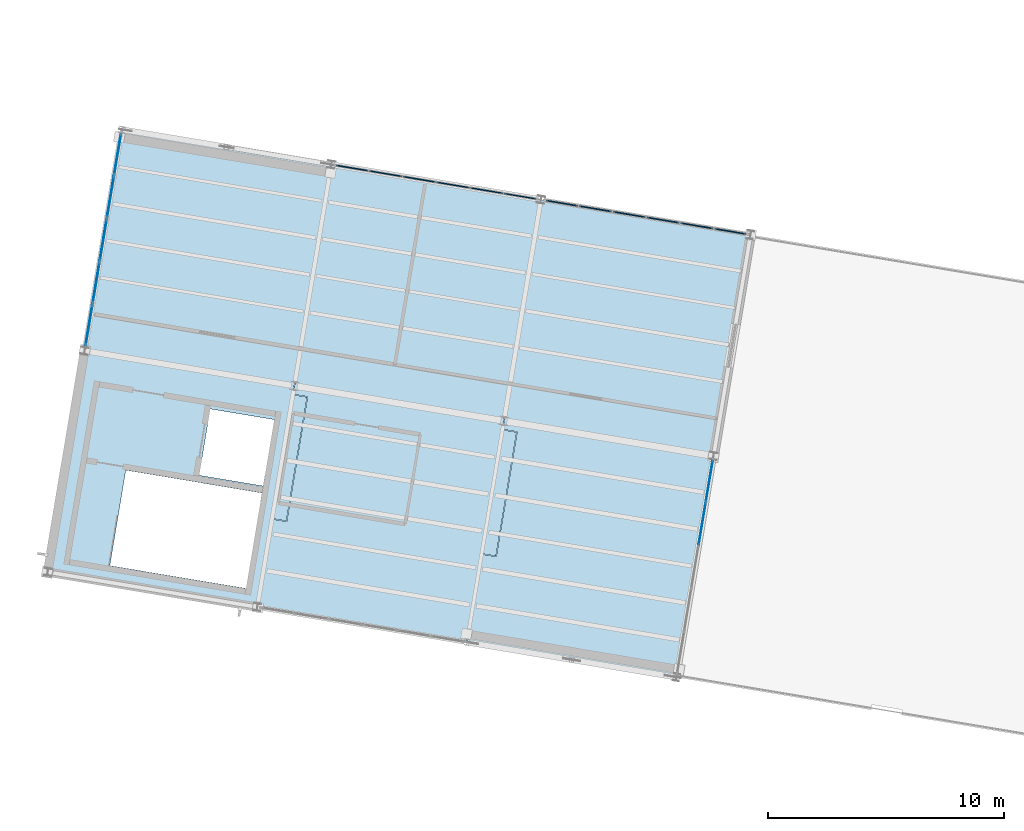
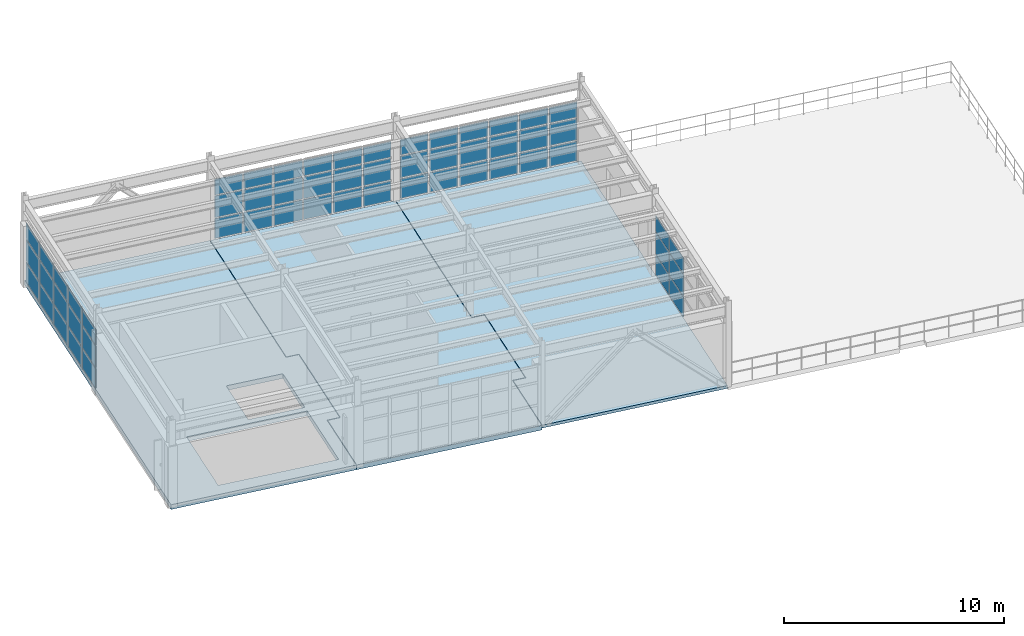
# One storey, part 37 of 59: 57 plates, 3 slabs, 4 elements without a shape of their own.
"""IFC4 building model written with IfcOpenShell, lengths in metres."""

from ifc_helpers import new_model, si_unit, direction, frame, origin, origin_2d, place, context, subcontext, project, spatial, polyline, rectangle, outline, extrude, material, layer, layer_set, type_object, element, aggregate, save


model = new_model("IFC4")

# Units and contexts
model_context = context("Model", 3, precision=1e-05, world=origin(), true_north=direction((0.0, 1.0)))
body_context = subcontext(model_context, "Body", "Model", "MODEL_VIEW")
ifc_project = project(units=[si_unit("LENGTHUNIT", "METRE"), si_unit("AREAUNIT", "SQUARE_METRE"), si_unit("VOLUMEUNIT", "CUBIC_METRE"), si_unit("PLANEANGLEUNIT", "RADIAN"), si_unit("MASSUNIT", "GRAM", prefix="KILO")], contexts=[model_context])

# Site, building, storey
site_placement = place(None, origin())
site = spatial("IfcSite", under=ifc_project, at=site_placement, CompositionType="ELEMENT")
building_placement = place(site_placement, origin())
building = spatial("IfcBuilding", under=site, at=building_placement, Name="Vireo Bluff Cable Station", CompositionType="ELEMENT")
storey_placement = place(building_placement, frame((0.0, 0.0, 14.39990234375)))
storey = spatial("IfcBuildingStorey", under=building, at=storey_placement, Name="L03", CompositionType="ELEMENT", Elevation=14.39990234375)

# Curtain wall, plates
ifc_material_1 = material(Name="Anodized Aluminium 6063-T6", Category="aluminium")
ifc_layer_1 = layer(ifc_material_1, 0.159912109375, Name="Anodized Aluminium 6063-T6")
ifc_layer_set_1 = layer_set([ifc_layer_1], Name="Anodized Aluminium 6063-T6")
curtain_wall_type_1 = type_object("IfcCurtainWallType", Name="CW-STICK-1750", PredefinedType="USERDEFINED", material=ifc_layer_set_1)
curtain_wall_1_placement = place(storey_placement, origin())
curtain_wall_1 = element("IfcCurtainWall", 1, at=curtain_wall_1_placement, inside=storey, type_object=curtain_wall_type_1, Name="V4 L03 east curtain wall CW-110", ObjectType="STICK CURTAIN WALL", PredefinedType="USERDEFINED")
ifc_material_2 = material(Name="Laminated Low-E Insulated Glass", Category="glass")
ifc_layer_2 = layer(ifc_material_2, 0.028076171875, Name="Laminated Low-E Insulated Glass")
ifc_layer_set_2 = layer_set([ifc_layer_2], Name="Laminated Low-E Insulated Glass")
plate_type_1 = type_object("IfcPlateType", Name="CWP-28-1", PredefinedType="CURTAIN_PANEL", material=ifc_layer_set_2)
plate_1_placement = place(storey_placement, frame((35.085693359375, 84.708740234375, 0.06005859375), z_axis=(0.0, 0.0, 1.0), x_axis=(-0.165047600369, -0.986285602456, 0.0)))
plate_1 = element("IfcPlate", 2, at=plate_1_placement, type_object=plate_type_1, Name="CW-110 panel 1.1", PredefinedType="CURTAIN_PANEL", context=body_context, shape_type="SweptSolid", body=[
    extrude(rectangle(XDim=1.747802734375, YDim=0.028076171875, at=origin_2d()), origin(), (0.0, 0.0, 1.0), 1.10009765625),
])
plate_2_placement = place(storey_placement, frame((35.085693359375, 84.708740234375, 1.22021484375), z_axis=(0.0, 0.0, 1.0), x_axis=(-0.165047600369, -0.986285602456, 0.0)))
plate_2 = element("IfcPlate", 3, at=plate_2_placement, type_object=plate_type_1, Name="CW-110 panel 1.2", PredefinedType="CURTAIN_PANEL", context=body_context, shape_type="SweptSolid", body=[
    extrude(rectangle(XDim=1.747802734375, YDim=0.028076171875, at=origin_2d()), origin(), (0.0, 0.0, 1.0), 1.197998046875),
])
plate_3_placement = place(storey_placement, frame((35.085693359375, 84.708740234375, 2.47802734375), z_axis=(0.0, 0.0, 1.0), x_axis=(-0.165047600369, -0.986285602456, 0.0)))
plate_3 = element("IfcPlate", 4, at=plate_3_placement, type_object=plate_type_1, Name="CW-110 panel 1.3", PredefinedType="CURTAIN_PANEL", context=body_context, shape_type="SweptSolid", body=[
    extrude(rectangle(XDim=1.747802734375, YDim=0.028076171875, at=origin_2d()), origin(), (0.0, 0.0, 1.0), 0.862060546875),
])
plate_4_placement = place(storey_placement, frame((34.784912109375, 82.91064453125, 0.06005859375), z_axis=(0.0, 0.0, 1.0), x_axis=(-0.165047600369, -0.986285602456, 0.0)))
plate_4 = element("IfcPlate", 5, at=plate_4_placement, type_object=plate_type_1, Name="CW-110 panel 2.1", PredefinedType="CURTAIN_PANEL", context=body_context, shape_type="SweptSolid", body=[
    extrude(rectangle(XDim=1.77783203125, YDim=0.028076171875, at=origin_2d()), origin(), (0.0, 0.0, 1.0), 1.10009765625),
])
plate_5_placement = place(storey_placement, frame((34.784912109375, 82.91064453125, 1.22021484375), z_axis=(0.0, 0.0, 1.0), x_axis=(-0.165047600369, -0.986285602456, 0.0)))
plate_5 = element("IfcPlate", 6, at=plate_5_placement, type_object=plate_type_1, Name="CW-110 panel 2.2", PredefinedType="CURTAIN_PANEL", context=body_context, shape_type="SweptSolid", body=[
    extrude(rectangle(XDim=1.77783203125, YDim=0.028076171875, at=origin_2d()), origin(), (0.0, 0.0, 1.0), 1.197998046875),
])
plate_6_placement = place(storey_placement, frame((34.784912109375, 82.91064453125, 2.47802734375), z_axis=(0.0, 0.0, 1.0), x_axis=(-0.165047600369, -0.986285602456, 0.0)))
plate_6 = element("IfcPlate", 7, at=plate_6_placement, type_object=plate_type_1, Name="CW-110 panel 2.3", PredefinedType="CURTAIN_PANEL", context=body_context, shape_type="SweptSolid", body=[
    extrude(rectangle(XDim=1.77783203125, YDim=0.028076171875, at=origin_2d()), origin(), (0.0, 0.0, 1.0), 0.862060546875),
])
aggregate(curtain_wall_1, [plate_1, plate_2, plate_3, plate_4, plate_5, plate_6])

ifc_layer_3 = layer(ifc_material_1, 0.159912109375, Name="Anodized Aluminium 6063-T6")
ifc_layer_set_3 = layer_set([ifc_layer_3], Name="Anodized Aluminium 6063-T6")
curtain_wall_type_2 = type_object("IfcCurtainWallType", Name="CW-STICK-1850", PredefinedType="USERDEFINED", material=ifc_layer_set_3)
curtain_wall_2_placement = place(storey_placement, origin())
curtain_wall_2 = element("IfcCurtainWall", 8, at=curtain_wall_2_placement, inside=storey, type_object=curtain_wall_type_2, Name="V4 L03 west curtain wall CW-107", ObjectType="STICK CURTAIN WALL", PredefinedType="USERDEFINED")
ifc_layer_4 = layer(ifc_material_2, 0.035888671875, Name="Laminated Low-E Insulated Glass")
ifc_layer_set_4 = layer_set([ifc_layer_4], Name="Laminated Low-E Insulated Glass")
plate_type_2 = type_object("IfcPlateType", Name="CWP-36-3", PredefinedType="CURTAIN_PANEL", material=ifc_layer_set_4)
plate_7_placement = place(storey_placement, frame((8.8173828125, 91.324462890625, 0.080078125), z_axis=(0.0, 0.0, 1.0), x_axis=(0.165047529999, 0.986285614232, 0.0)))
plate_7 = element("IfcPlate", 9, at=plate_7_placement, type_object=plate_type_2, Name="CW-107 panel 1.1", PredefinedType="CURTAIN_PANEL", context=body_context, shape_type="SweptSolid", body=[
    extrude(rectangle(XDim=1.72119140625, YDim=0.035888671875, at=origin_2d()), origin(), (0.0, 0.0, 1.0), 1.070068359375),
])
plate_8_placement = place(storey_placement, frame((8.8173828125, 91.324462890625, 1.22998046875), z_axis=(0.0, 0.0, 1.0), x_axis=(0.165047529999, 0.986285614232, 0.0)))
plate_8 = element("IfcPlate", 10, at=plate_8_placement, type_object=plate_type_2, Name="CW-107 panel 1.2", PredefinedType="CURTAIN_PANEL", context=body_context, shape_type="SweptSolid", body=[
    extrude(rectangle(XDim=1.72119140625, YDim=0.035888671875, at=origin_2d()), origin(), (0.0, 0.0, 1.0), 1.177978515625),
])
plate_9_placement = place(storey_placement, frame((8.8173828125, 91.324462890625, 2.488037109375), z_axis=(0.0, 0.0, 1.0), x_axis=(0.165047529999, 0.986285614232, 0.0)))
plate_9 = element("IfcPlate", 11, at=plate_9_placement, type_object=plate_type_2, Name="CW-107 panel 1.3", PredefinedType="CURTAIN_PANEL", context=body_context, shape_type="SweptSolid", body=[
    extrude(rectangle(XDim=1.72119140625, YDim=0.035888671875, at=origin_2d()), origin(), (0.0, 0.0, 1.0), 0.83203125),
])
plate_10_placement = place(storey_placement, frame((9.1181640625, 93.120849609375, 0.080078125), z_axis=(0.0, 0.0, 1.0), x_axis=(0.165047529999, 0.986285614232, 0.0)))
plate_10 = element("IfcPlate", 12, at=plate_10_placement, type_object=plate_type_2, Name="CW-107 panel 2.1", PredefinedType="CURTAIN_PANEL", context=body_context, shape_type="SweptSolid", body=[
    extrude(rectangle(XDim=1.76123046875, YDim=0.035888671875, at=origin_2d()), origin(), (0.0, 0.0, 1.0), 1.070068359375),
])
plate_11_placement = place(storey_placement, frame((9.1181640625, 93.120849609375, 1.22998046875), z_axis=(0.0, 0.0, 1.0), x_axis=(0.165047529999, 0.986285614232, 0.0)))
plate_11 = element("IfcPlate", 13, at=plate_11_placement, type_object=plate_type_2, Name="CW-107 panel 2.2", PredefinedType="CURTAIN_PANEL", context=body_context, shape_type="SweptSolid", body=[
    extrude(rectangle(XDim=1.76123046875, YDim=0.035888671875, at=origin_2d()), origin(), (0.0, 0.0, 1.0), 1.177978515625),
])
plate_12_placement = place(storey_placement, frame((9.1181640625, 93.120849609375, 2.488037109375), z_axis=(0.0, 0.0, 1.0), x_axis=(0.165047529999, 0.986285614232, 0.0)))
plate_12 = element("IfcPlate", 14, at=plate_12_placement, type_object=plate_type_2, Name="CW-107 panel 2.3", PredefinedType="CURTAIN_PANEL", context=body_context, shape_type="SweptSolid", body=[
    extrude(rectangle(XDim=1.76123046875, YDim=0.035888671875, at=origin_2d()), origin(), (0.0, 0.0, 1.0), 0.83203125),
])
plate_13_placement = place(storey_placement, frame((9.421875, 94.936767578125, 0.080078125), z_axis=(0.0, 0.0, 1.0), x_axis=(0.165047529999, 0.986285614232, 0.0)))
plate_13 = element("IfcPlate", 15, at=plate_13_placement, type_object=plate_type_2, Name="CW-107 panel 3.1", PredefinedType="CURTAIN_PANEL", context=body_context, shape_type="SweptSolid", body=[
    extrude(rectangle(XDim=1.76123046875, YDim=0.035888671875, at=origin_2d()), origin(), (0.0, 0.0, 1.0), 1.070068359375),
])
plate_14_placement = place(storey_placement, frame((9.421875, 94.936767578125, 1.22998046875), z_axis=(0.0, 0.0, 1.0), x_axis=(0.165047529999, 0.986285614232, 0.0)))
plate_14 = element("IfcPlate", 16, at=plate_14_placement, type_object=plate_type_2, Name="CW-107 panel 3.2", PredefinedType="CURTAIN_PANEL", context=body_context, shape_type="SweptSolid", body=[
    extrude(rectangle(XDim=1.76123046875, YDim=0.035888671875, at=origin_2d()), origin(), (0.0, 0.0, 1.0), 1.177978515625),
])
plate_15_placement = place(storey_placement, frame((9.421875, 94.936767578125, 2.488037109375), z_axis=(0.0, 0.0, 1.0), x_axis=(0.165047529999, 0.986285614232, 0.0)))
plate_15 = element("IfcPlate", 17, at=plate_15_placement, type_object=plate_type_2, Name="CW-107 panel 3.3", PredefinedType="CURTAIN_PANEL", context=body_context, shape_type="SweptSolid", body=[
    extrude(rectangle(XDim=1.76123046875, YDim=0.035888671875, at=origin_2d()), origin(), (0.0, 0.0, 1.0), 0.83203125),
])
plate_16_placement = place(storey_placement, frame((9.725830078125, 96.7529296875, 0.080078125), z_axis=(0.0, 0.0, 1.0), x_axis=(0.165047529999, 0.986285614232, 0.0)))
plate_16 = element("IfcPlate", 18, at=plate_16_placement, type_object=plate_type_2, Name="CW-107 panel 4.1", PredefinedType="CURTAIN_PANEL", context=body_context, shape_type="SweptSolid", body=[
    extrude(rectangle(XDim=1.76123046875, YDim=0.035888671875, at=origin_2d()), origin(), (0.0, 0.0, 1.0), 1.070068359375),
])
plate_17_placement = place(storey_placement, frame((9.725830078125, 96.7529296875, 1.22998046875), z_axis=(0.0, 0.0, 1.0), x_axis=(0.165047529999, 0.986285614232, 0.0)))
plate_17 = element("IfcPlate", 19, at=plate_17_placement, type_object=plate_type_2, Name="CW-107 panel 4.2", PredefinedType="CURTAIN_PANEL", context=body_context, shape_type="SweptSolid", body=[
    extrude(rectangle(XDim=1.76123046875, YDim=0.035888671875, at=origin_2d()), origin(), (0.0, 0.0, 1.0), 1.177978515625),
])
plate_18_placement = place(storey_placement, frame((9.725830078125, 96.7529296875, 2.488037109375), z_axis=(0.0, 0.0, 1.0), x_axis=(0.165047529999, 0.986285614232, 0.0)))
plate_18 = element("IfcPlate", 20, at=plate_18_placement, type_object=plate_type_2, Name="CW-107 panel 4.3", PredefinedType="CURTAIN_PANEL", context=body_context, shape_type="SweptSolid", body=[
    extrude(rectangle(XDim=1.76123046875, YDim=0.035888671875, at=origin_2d()), origin(), (0.0, 0.0, 1.0), 0.83203125),
])
plate_19_placement = place(storey_placement, frame((10.0263671875, 98.54931640625, 0.080078125), z_axis=(0.0, 0.0, 1.0), x_axis=(0.165047529999, 0.986285614232, 0.0)))
plate_19 = element("IfcPlate", 21, at=plate_19_placement, type_object=plate_type_2, Name="CW-107 panel 5.1", PredefinedType="CURTAIN_PANEL", context=body_context, shape_type="SweptSolid", body=[
    extrude(rectangle(XDim=1.72119140625, YDim=0.035888671875, at=origin_2d()), origin(), (0.0, 0.0, 1.0), 1.070068359375),
])
plate_20_placement = place(storey_placement, frame((10.0263671875, 98.54931640625, 1.22998046875), z_axis=(0.0, 0.0, 1.0), x_axis=(0.165047529999, 0.986285614232, 0.0)))
plate_20 = element("IfcPlate", 22, at=plate_20_placement, type_object=plate_type_2, Name="CW-107 panel 5.2", PredefinedType="CURTAIN_PANEL", context=body_context, shape_type="SweptSolid", body=[
    extrude(rectangle(XDim=1.72119140625, YDim=0.035888671875, at=origin_2d()), origin(), (0.0, 0.0, 1.0), 1.177978515625),
])
plate_21_placement = place(storey_placement, frame((10.0263671875, 98.54931640625, 2.488037109375), z_axis=(0.0, 0.0, 1.0), x_axis=(0.165047529999, 0.986285614232, 0.0)))
plate_21 = element("IfcPlate", 23, at=plate_21_placement, type_object=plate_type_2, Name="CW-107 panel 5.3", PredefinedType="CURTAIN_PANEL", context=body_context, shape_type="SweptSolid", body=[
    extrude(rectangle(XDim=1.72119140625, YDim=0.035888671875, at=origin_2d()), origin(), (0.0, 0.0, 1.0), 0.83203125),
])
aggregate(curtain_wall_2, [plate_7, plate_8, plate_9, plate_10, plate_11, plate_12, plate_13, plate_14, plate_15, plate_16, plate_17, plate_18, plate_19, plate_20, plate_21])

ifc_layer_5 = layer(ifc_material_1, 0.179931640625, Name="Anodized Aluminium 6063-T6")
ifc_layer_set_5 = layer_set([ifc_layer_5], Name="Anodized Aluminium 6063-T6")
curtain_wall_type_3 = type_object("IfcCurtainWallType", Name="CW-UNIT-1400", PredefinedType="USERDEFINED", material=ifc_layer_set_5)
curtain_wall_3_placement = place(storey_placement, origin())
curtain_wall_3 = element("IfcCurtainWall", 24, at=curtain_wall_3_placement, inside=storey, type_object=curtain_wall_type_3, Name="V4 L03 north curtain wall CW-108", ObjectType="UNITISED CURTAIN WALL", PredefinedType="USERDEFINED")
ifc_material_3 = material(Name="Insulated Spandrel Glass Panel", Category="glass")
ifc_layer_6 = layer(ifc_material_3, 0.0419921875, Name="Insulated Spandrel Glass Panel")
ifc_layer_set_6 = layer_set([ifc_layer_6], Name="Insulated Spandrel Glass Panel")
plate_type_3 = type_object("IfcPlateType", Name="CWP-42-4", PredefinedType="CURTAIN_PANEL", material=ifc_layer_set_6)
plate_22_placement = place(storey_placement, frame((19.963134765625, 97.97607421875, 0.06494140625), z_axis=(0.0, 0.0, 1.0), x_axis=(0.986285614938, -0.165047525781, 0.0)))
plate_22 = element("IfcPlate", 25, at=plate_22_placement, type_object=plate_type_3, Name="CW-108 panel 1.1", PredefinedType="CURTAIN_PANEL", context=body_context, shape_type="SweptSolid", body=[
    extrude(rectangle(XDim=1.350830078125, YDim=0.0419921875, at=origin_2d()), origin(), (0.0, 0.0, 1.0), 1.092529296875),
])
plate_23_placement = place(storey_placement, frame((19.963134765625, 97.97607421875, 1.22265625), z_axis=(0.0, 0.0, 1.0), x_axis=(0.986285614938, -0.165047525781, 0.0)))
plate_23 = element("IfcPlate", 26, at=plate_23_placement, type_object=plate_type_3, Name="CW-108 panel 1.2", PredefinedType="CURTAIN_PANEL", context=body_context, shape_type="SweptSolid", body=[
    extrude(rectangle(XDim=1.350830078125, YDim=0.0419921875, at=origin_2d()), origin(), (0.0, 0.0, 1.0), 1.193115234375),
])
plate_24_placement = place(storey_placement, frame((19.963134765625, 97.97607421875, 2.480712890625), z_axis=(0.0, 0.0, 1.0), x_axis=(0.986285614938, -0.165047525781, 0.0)))
plate_24 = element("IfcPlate", 27, at=plate_24_placement, type_object=plate_type_3, Name="CW-108 panel 1.3", PredefinedType="CURTAIN_PANEL", context=body_context, shape_type="SweptSolid", body=[
    extrude(rectangle(XDim=1.350830078125, YDim=0.0419921875, at=origin_2d()), origin(), (0.0, 0.0, 1.0), 0.8544921875),
])
plate_25_placement = place(storey_placement, frame((21.37548828125, 97.73974609375, 0.06494140625), z_axis=(0.0, 0.0, 1.0), x_axis=(0.986285614938, -0.165047525781, 0.0)))
plate_25 = element("IfcPlate", 28, at=plate_25_placement, type_object=plate_type_3, Name="CW-108 panel 2.1", PredefinedType="CURTAIN_PANEL", context=body_context, shape_type="SweptSolid", body=[
    extrude(rectangle(XDim=1.38330078125, YDim=0.0419921875, at=origin_2d()), origin(), (0.0, 0.0, 1.0), 1.092529296875),
])
plate_26_placement = place(storey_placement, frame((21.37548828125, 97.73974609375, 1.22265625), z_axis=(0.0, 0.0, 1.0), x_axis=(0.986285614938, -0.165047525781, 0.0)))
plate_26 = element("IfcPlate", 29, at=plate_26_placement, type_object=plate_type_3, Name="CW-108 panel 2.2", PredefinedType="CURTAIN_PANEL", context=body_context, shape_type="SweptSolid", body=[
    extrude(rectangle(XDim=1.38330078125, YDim=0.0419921875, at=origin_2d()), origin(), (0.0, 0.0, 1.0), 1.193115234375),
])
plate_27_placement = place(storey_placement, frame((21.37548828125, 97.73974609375, 2.480712890625), z_axis=(0.0, 0.0, 1.0), x_axis=(0.986285614938, -0.165047525781, 0.0)))
plate_27 = element("IfcPlate", 30, at=plate_27_placement, type_object=plate_type_3, Name="CW-108 panel 2.3", PredefinedType="CURTAIN_PANEL", context=body_context, shape_type="SweptSolid", body=[
    extrude(rectangle(XDim=1.38330078125, YDim=0.0419921875, at=origin_2d()), origin(), (0.0, 0.0, 1.0), 0.8544921875),
])
plate_28_placement = place(storey_placement, frame((22.803955078125, 97.50048828125, 0.06494140625), z_axis=(0.0, 0.0, 1.0), x_axis=(0.986285614938, -0.165047525781, 0.0)))
plate_28 = element("IfcPlate", 31, at=plate_28_placement, type_object=plate_type_3, Name="CW-108 panel 3.1", PredefinedType="CURTAIN_PANEL", context=body_context, shape_type="SweptSolid", body=[
    extrude(rectangle(XDim=1.38330078125, YDim=0.0419921875, at=origin_2d()), origin(), (0.0, 0.0, 1.0), 1.092529296875),
])
plate_29_placement = place(storey_placement, frame((22.803955078125, 97.50048828125, 1.22265625), z_axis=(0.0, 0.0, 1.0), x_axis=(0.986285614938, -0.165047525781, 0.0)))
plate_29 = element("IfcPlate", 32, at=plate_29_placement, type_object=plate_type_3, Name="CW-108 panel 3.2", PredefinedType="CURTAIN_PANEL", context=body_context, shape_type="SweptSolid", body=[
    extrude(rectangle(XDim=1.38330078125, YDim=0.0419921875, at=origin_2d()), origin(), (0.0, 0.0, 1.0), 1.193115234375),
])
plate_30_placement = place(storey_placement, frame((22.803955078125, 97.50048828125, 2.480712890625), z_axis=(0.0, 0.0, 1.0), x_axis=(0.986285614938, -0.165047525781, 0.0)))
plate_30 = element("IfcPlate", 33, at=plate_30_placement, type_object=plate_type_3, Name="CW-108 panel 3.3", PredefinedType="CURTAIN_PANEL", context=body_context, shape_type="SweptSolid", body=[
    extrude(rectangle(XDim=1.38330078125, YDim=0.0419921875, at=origin_2d()), origin(), (0.0, 0.0, 1.0), 0.8544921875),
])
plate_31_placement = place(storey_placement, frame((24.232421875, 97.261474609375, 0.06494140625), z_axis=(0.0, 0.0, 1.0), x_axis=(0.986285614938, -0.165047525781, 0.0)))
plate_31 = element("IfcPlate", 34, at=plate_31_placement, type_object=plate_type_3, Name="CW-108 panel 4.1", PredefinedType="CURTAIN_PANEL", context=body_context, shape_type="SweptSolid", body=[
    extrude(rectangle(XDim=1.38330078125, YDim=0.0419921875, at=origin_2d()), origin(), (0.0, 0.0, 1.0), 1.092529296875),
])
plate_32_placement = place(storey_placement, frame((24.232421875, 97.261474609375, 1.22265625), z_axis=(0.0, 0.0, 1.0), x_axis=(0.986285614938, -0.165047525781, 0.0)))
plate_32 = element("IfcPlate", 35, at=plate_32_placement, type_object=plate_type_3, Name="CW-108 panel 4.2", PredefinedType="CURTAIN_PANEL", context=body_context, shape_type="SweptSolid", body=[
    extrude(rectangle(XDim=1.38330078125, YDim=0.0419921875, at=origin_2d()), origin(), (0.0, 0.0, 1.0), 1.193115234375),
])
plate_33_placement = place(storey_placement, frame((24.232421875, 97.261474609375, 2.480712890625), z_axis=(0.0, 0.0, 1.0), x_axis=(0.986285614938, -0.165047525781, 0.0)))
plate_33 = element("IfcPlate", 36, at=plate_33_placement, type_object=plate_type_3, Name="CW-108 panel 4.3", PredefinedType="CURTAIN_PANEL", context=body_context, shape_type="SweptSolid", body=[
    extrude(rectangle(XDim=1.38330078125, YDim=0.0419921875, at=origin_2d()), origin(), (0.0, 0.0, 1.0), 0.8544921875),
])
plate_34_placement = place(storey_placement, frame((25.660888671875, 97.0224609375, 0.06494140625), z_axis=(0.0, 0.0, 1.0), x_axis=(0.986285614938, -0.165047525781, 0.0)))
plate_34 = element("IfcPlate", 37, at=plate_34_placement, type_object=plate_type_3, Name="CW-108 panel 5.1", PredefinedType="CURTAIN_PANEL", context=body_context, shape_type="SweptSolid", body=[
    extrude(rectangle(XDim=1.38330078125, YDim=0.0419921875, at=origin_2d()), origin(), (0.0, 0.0, 1.0), 1.092529296875),
])
plate_35_placement = place(storey_placement, frame((25.660888671875, 97.0224609375, 1.22265625), z_axis=(0.0, 0.0, 1.0), x_axis=(0.986285614938, -0.165047525781, 0.0)))
plate_35 = element("IfcPlate", 38, at=plate_35_placement, type_object=plate_type_3, Name="CW-108 panel 5.2", PredefinedType="CURTAIN_PANEL", context=body_context, shape_type="SweptSolid", body=[
    extrude(rectangle(XDim=1.38330078125, YDim=0.0419921875, at=origin_2d()), origin(), (0.0, 0.0, 1.0), 1.193115234375),
])
plate_36_placement = place(storey_placement, frame((25.660888671875, 97.0224609375, 2.480712890625), z_axis=(0.0, 0.0, 1.0), x_axis=(0.986285614938, -0.165047525781, 0.0)))
plate_36 = element("IfcPlate", 39, at=plate_36_placement, type_object=plate_type_3, Name="CW-108 panel 5.3", PredefinedType="CURTAIN_PANEL", context=body_context, shape_type="SweptSolid", body=[
    extrude(rectangle(XDim=1.38330078125, YDim=0.0419921875, at=origin_2d()), origin(), (0.0, 0.0, 1.0), 0.8544921875),
])
plate_37_placement = place(storey_placement, frame((27.073486328125, 96.7861328125, 0.06494140625), z_axis=(0.0, 0.0, 1.0), x_axis=(0.986285614938, -0.165047525781, 0.0)))
plate_37 = element("IfcPlate", 40, at=plate_37_placement, type_object=plate_type_3, Name="CW-108 panel 6.1", PredefinedType="CURTAIN_PANEL", context=body_context, shape_type="SweptSolid", body=[
    extrude(rectangle(XDim=1.350830078125, YDim=0.0419921875, at=origin_2d()), origin(), (0.0, 0.0, 1.0), 1.092529296875),
])
plate_38_placement = place(storey_placement, frame((27.073486328125, 96.7861328125, 1.22265625), z_axis=(0.0, 0.0, 1.0), x_axis=(0.986285614938, -0.165047525781, 0.0)))
plate_38 = element("IfcPlate", 41, at=plate_38_placement, type_object=plate_type_3, Name="CW-108 panel 6.2", PredefinedType="CURTAIN_PANEL", context=body_context, shape_type="SweptSolid", body=[
    extrude(rectangle(XDim=1.350830078125, YDim=0.0419921875, at=origin_2d()), origin(), (0.0, 0.0, 1.0), 1.193115234375),
])
plate_39_placement = place(storey_placement, frame((27.073486328125, 96.7861328125, 2.480712890625), z_axis=(0.0, 0.0, 1.0), x_axis=(0.986285614938, -0.165047525781, 0.0)))
plate_39 = element("IfcPlate", 42, at=plate_39_placement, type_object=plate_type_3, Name="CW-108 panel 6.3", PredefinedType="CURTAIN_PANEL", context=body_context, shape_type="SweptSolid", body=[
    extrude(rectangle(XDim=1.350830078125, YDim=0.0419921875, at=origin_2d()), origin(), (0.0, 0.0, 1.0), 0.8544921875),
])
aggregate(curtain_wall_3, [plate_22, plate_23, plate_24, plate_25, plate_26, plate_27, plate_28, plate_29, plate_30, plate_31, plate_32, plate_33, plate_34, plate_35, plate_36, plate_37, plate_38, plate_39])

ifc_layer_7 = layer(ifc_material_1, 0.179931640625, Name="Anodized Aluminium 6063-T6")
ifc_layer_set_7 = layer_set([ifc_layer_7], Name="Anodized Aluminium 6063-T6")
curtain_wall_type_4 = type_object("IfcCurtainWallType", Name="CW-UNIT-1500", PredefinedType="USERDEFINED", material=ifc_layer_set_7)
curtain_wall_4_placement = place(storey_placement, origin())
curtain_wall_4 = element("IfcCurtainWall", 43, at=curtain_wall_4_placement, inside=storey, type_object=curtain_wall_type_4, Name="V4 L03 north curtain wall CW-109", ObjectType="UNITISED CURTAIN WALL", PredefinedType="USERDEFINED")
ifc_layer_8 = layer(ifc_material_3, 0.048095703125, Name="Insulated Spandrel Glass Panel")
ifc_layer_set_8 = layer_set([ifc_layer_8], Name="Insulated Spandrel Glass Panel")
plate_type_4 = type_object("IfcPlateType", Name="CWP-48-5", PredefinedType="CURTAIN_PANEL", material=ifc_layer_set_8)
plate_40_placement = place(storey_placement, frame((28.84521484375, 96.48974609375, 0.0751953125), z_axis=(0.0, 0.0, 1.0), x_axis=(0.986285589995, -0.165047674837, 0.0)))
plate_40 = element("IfcPlate", 44, at=plate_40_placement, type_object=plate_type_4, Name="CW-109 panel 1.1", PredefinedType="CURTAIN_PANEL", context=body_context, shape_type="SweptSolid", body=[
    extrude(rectangle(XDim=1.340087890625, YDim=0.048095703125, at=origin_2d()), origin(), (0.0, 0.0, 1.0), 1.077392578125),
])
plate_41_placement = place(storey_placement, frame((28.84521484375, 96.48974609375, 1.2275390625), z_axis=(0.0, 0.0, 1.0), x_axis=(0.986285589995, -0.165047674837, 0.0)))
plate_41 = element("IfcPlate", 45, at=plate_41_placement, type_object=plate_type_4, Name="CW-109 panel 1.2", PredefinedType="CURTAIN_PANEL", context=body_context, shape_type="SweptSolid", body=[
    extrude(rectangle(XDim=1.340087890625, YDim=0.048095703125, at=origin_2d()), origin(), (0.0, 0.0, 1.0), 1.18310546875),
])
plate_42_placement = place(storey_placement, frame((28.84521484375, 96.48974609375, 2.4853515625), z_axis=(0.0, 0.0, 1.0), x_axis=(0.986285589995, -0.165047674837, 0.0)))
plate_42 = element("IfcPlate", 46, at=plate_42_placement, type_object=plate_type_4, Name="CW-109 panel 1.3", PredefinedType="CURTAIN_PANEL", context=body_context, shape_type="SweptSolid", body=[
    extrude(rectangle(XDim=1.340087890625, YDim=0.048095703125, at=origin_2d()), origin(), (0.0, 0.0, 1.0), 0.839599609375),
])
plate_43_placement = place(storey_placement, frame((30.25927734375, 96.2529296875, 0.0751953125), z_axis=(0.0, 0.0, 1.0), x_axis=(0.986285589995, -0.165047674837, 0.0)))
plate_43 = element("IfcPlate", 47, at=plate_43_placement, type_object=plate_type_4, Name="CW-109 panel 2.1", PredefinedType="CURTAIN_PANEL", context=body_context, shape_type="SweptSolid", body=[
    extrude(rectangle(XDim=1.377685546875, YDim=0.048095703125, at=origin_2d()), origin(), (0.0, 0.0, 1.0), 1.077392578125),
])
plate_44_placement = place(storey_placement, frame((30.25927734375, 96.2529296875, 1.2275390625), z_axis=(0.0, 0.0, 1.0), x_axis=(0.986285589995, -0.165047674837, 0.0)))
plate_44 = element("IfcPlate", 48, at=plate_44_placement, type_object=plate_type_4, Name="CW-109 panel 2.2", PredefinedType="CURTAIN_PANEL", context=body_context, shape_type="SweptSolid", body=[
    extrude(rectangle(XDim=1.377685546875, YDim=0.048095703125, at=origin_2d()), origin(), (0.0, 0.0, 1.0), 1.18310546875),
])
plate_45_placement = place(storey_placement, frame((30.25927734375, 96.2529296875, 2.4853515625), z_axis=(0.0, 0.0, 1.0), x_axis=(0.986285589995, -0.165047674837, 0.0)))
plate_45 = element("IfcPlate", 49, at=plate_45_placement, type_object=plate_type_4, Name="CW-109 panel 2.3", PredefinedType="CURTAIN_PANEL", context=body_context, shape_type="SweptSolid", body=[
    extrude(rectangle(XDim=1.377685546875, YDim=0.048095703125, at=origin_2d()), origin(), (0.0, 0.0, 1.0), 0.839599609375),
])
plate_46_placement = place(storey_placement, frame((31.692138671875, 96.01318359375, 0.0751953125), z_axis=(0.0, 0.0, 1.0), x_axis=(0.986285589995, -0.165047674837, 0.0)))
plate_46 = element("IfcPlate", 50, at=plate_46_placement, type_object=plate_type_4, Name="CW-109 panel 3.1", PredefinedType="CURTAIN_PANEL", context=body_context, shape_type="SweptSolid", body=[
    extrude(rectangle(XDim=1.377685546875, YDim=0.048095703125, at=origin_2d()), origin(), (0.0, 0.0, 1.0), 1.077392578125),
])
plate_47_placement = place(storey_placement, frame((31.692138671875, 96.01318359375, 1.2275390625), z_axis=(0.0, 0.0, 1.0), x_axis=(0.986285589995, -0.165047674837, 0.0)))
plate_47 = element("IfcPlate", 51, at=plate_47_placement, type_object=plate_type_4, Name="CW-109 panel 3.2", PredefinedType="CURTAIN_PANEL", context=body_context, shape_type="SweptSolid", body=[
    extrude(rectangle(XDim=1.377685546875, YDim=0.048095703125, at=origin_2d()), origin(), (0.0, 0.0, 1.0), 1.18310546875),
])
plate_48_placement = place(storey_placement, frame((31.692138671875, 96.01318359375, 2.4853515625), z_axis=(0.0, 0.0, 1.0), x_axis=(0.986285589995, -0.165047674837, 0.0)))
plate_48 = element("IfcPlate", 52, at=plate_48_placement, type_object=plate_type_4, Name="CW-109 panel 3.3", PredefinedType="CURTAIN_PANEL", context=body_context, shape_type="SweptSolid", body=[
    extrude(rectangle(XDim=1.377685546875, YDim=0.048095703125, at=origin_2d()), origin(), (0.0, 0.0, 1.0), 0.839599609375),
])
plate_49_placement = place(storey_placement, frame((33.124755859375, 95.7734375, 0.0751953125), z_axis=(0.0, 0.0, 1.0), x_axis=(0.986285589995, -0.165047674837, 0.0)))
plate_49 = element("IfcPlate", 53, at=plate_49_placement, type_object=plate_type_4, Name="CW-109 panel 4.1", PredefinedType="CURTAIN_PANEL", context=body_context, shape_type="SweptSolid", body=[
    extrude(rectangle(XDim=1.377685546875, YDim=0.048095703125, at=origin_2d()), origin(), (0.0, 0.0, 1.0), 1.077392578125),
])
plate_50_placement = place(storey_placement, frame((33.124755859375, 95.7734375, 1.2275390625), z_axis=(0.0, 0.0, 1.0), x_axis=(0.986285589995, -0.165047674837, 0.0)))
plate_50 = element("IfcPlate", 54, at=plate_50_placement, type_object=plate_type_4, Name="CW-109 panel 4.2", PredefinedType="CURTAIN_PANEL", context=body_context, shape_type="SweptSolid", body=[
    extrude(rectangle(XDim=1.377685546875, YDim=0.048095703125, at=origin_2d()), origin(), (0.0, 0.0, 1.0), 1.18310546875),
])
plate_51_placement = place(storey_placement, frame((33.124755859375, 95.7734375, 2.4853515625), z_axis=(0.0, 0.0, 1.0), x_axis=(0.986285589995, -0.165047674837, 0.0)))
plate_51 = element("IfcPlate", 55, at=plate_51_placement, type_object=plate_type_4, Name="CW-109 panel 4.3", PredefinedType="CURTAIN_PANEL", context=body_context, shape_type="SweptSolid", body=[
    extrude(rectangle(XDim=1.377685546875, YDim=0.048095703125, at=origin_2d()), origin(), (0.0, 0.0, 1.0), 0.839599609375),
])
plate_52_placement = place(storey_placement, frame((34.557373046875, 95.53369140625, 0.0751953125), z_axis=(0.0, 0.0, 1.0), x_axis=(0.986285589995, -0.165047674837, 0.0)))
plate_52 = element("IfcPlate", 56, at=plate_52_placement, type_object=plate_type_4, Name="CW-109 panel 5.1", PredefinedType="CURTAIN_PANEL", context=body_context, shape_type="SweptSolid", body=[
    extrude(rectangle(XDim=1.377685546875, YDim=0.048095703125, at=origin_2d()), origin(), (0.0, 0.0, 1.0), 1.077392578125),
])
plate_53_placement = place(storey_placement, frame((34.557373046875, 95.53369140625, 1.2275390625), z_axis=(0.0, 0.0, 1.0), x_axis=(0.986285589995, -0.165047674837, 0.0)))
plate_53 = element("IfcPlate", 57, at=plate_53_placement, type_object=plate_type_4, Name="CW-109 panel 5.2", PredefinedType="CURTAIN_PANEL", context=body_context, shape_type="SweptSolid", body=[
    extrude(rectangle(XDim=1.377685546875, YDim=0.048095703125, at=origin_2d()), origin(), (0.0, 0.0, 1.0), 1.18310546875),
])
plate_54_placement = place(storey_placement, frame((34.557373046875, 95.53369140625, 2.4853515625), z_axis=(0.0, 0.0, 1.0), x_axis=(0.986285589995, -0.165047674837, 0.0)))
plate_54 = element("IfcPlate", 58, at=plate_54_placement, type_object=plate_type_4, Name="CW-109 panel 5.3", PredefinedType="CURTAIN_PANEL", context=body_context, shape_type="SweptSolid", body=[
    extrude(rectangle(XDim=1.377685546875, YDim=0.048095703125, at=origin_2d()), origin(), (0.0, 0.0, 1.0), 0.839599609375),
])
plate_55_placement = place(storey_placement, frame((35.971435546875, 95.297119140625, 0.0751953125), z_axis=(0.0, 0.0, 1.0), x_axis=(0.986285589995, -0.165047674837, 0.0)))
plate_55 = element("IfcPlate", 59, at=plate_55_placement, type_object=plate_type_4, Name="CW-109 panel 6.1", PredefinedType="CURTAIN_PANEL", context=body_context, shape_type="SweptSolid", body=[
    extrude(rectangle(XDim=1.340087890625, YDim=0.048095703125, at=origin_2d()), origin(), (0.0, 0.0, 1.0), 1.077392578125),
])
plate_56_placement = place(storey_placement, frame((35.971435546875, 95.297119140625, 1.2275390625), z_axis=(0.0, 0.0, 1.0), x_axis=(0.986285589995, -0.165047674837, 0.0)))
plate_56 = element("IfcPlate", 60, at=plate_56_placement, type_object=plate_type_4, Name="CW-109 panel 6.2", PredefinedType="CURTAIN_PANEL", context=body_context, shape_type="SweptSolid", body=[
    extrude(rectangle(XDim=1.340087890625, YDim=0.048095703125, at=origin_2d()), origin(), (0.0, 0.0, 1.0), 1.18310546875),
])
plate_57_placement = place(storey_placement, frame((35.971435546875, 95.297119140625, 2.4853515625), z_axis=(0.0, 0.0, 1.0), x_axis=(0.986285589995, -0.165047674837, 0.0)))
plate_57 = element("IfcPlate", 61, at=plate_57_placement, type_object=plate_type_4, Name="CW-109 panel 6.3", PredefinedType="CURTAIN_PANEL", context=body_context, shape_type="SweptSolid", body=[
    extrude(rectangle(XDim=1.340087890625, YDim=0.048095703125, at=origin_2d()), origin(), (0.0, 0.0, 1.0), 0.839599609375),
])
aggregate(curtain_wall_4, [plate_40, plate_41, plate_42, plate_43, plate_44, plate_45, plate_46, plate_47, plate_48, plate_49, plate_50, plate_51, plate_52, plate_53, plate_54, plate_55, plate_56, plate_57])

# Slabs
ifc_material_4 = material(Name="Concrete f'c 40 MPa", Category="concrete")
ifc_layer_9 = layer(ifc_material_4, 0.159912109375, Name="Concrete f'c 40 MPa")
ifc_layer_set_9 = layer_set([ifc_layer_9], Name="Concrete f'c 40 MPa")
slab_type_1 = type_object("IfcSlabType", Name="FLOORSLAB-160", PredefinedType="FLOOR", material=ifc_layer_set_9)
slab_1_placement = place(storey_placement, frame((0.0, 0.0, -0.159912109375)))
element("IfcSlab", 62, at=slab_1_placement, inside=storey, type_object=slab_type_1, Name="V4 L03 floor slab bay 3", PredefinedType="FLOOR", context=body_context, shape_type="SweptSolid", body=[
    extrude(outline(polyline([(24.8310546875, 77.897216796875), (33.69775390625, 76.413330078125), (36.83349609375, 95.15283203125), (27.966796875, 96.63671875), (26.339599609375, 86.911865234375), (26.950927734375, 86.8095703125), (26.06640625, 81.52294921875), (25.454833984375, 81.625244140625), (24.8310546875, 77.897216796875)])), origin(), (0.0, 0.0, 1.0), 0.159912109375),
])
ifc_layer_10 = layer(ifc_material_4, 0.260009765625, Name="Concrete f'c 40 MPa")
ifc_layer_set_10 = layer_set([ifc_layer_10], Name="Concrete f'c 40 MPa")
slab_type_2 = type_object("IfcSlabType", Name="FLOORSLAB-260", PredefinedType="FLOOR", material=ifc_layer_set_10)
slab_2_placement = place(storey_placement, frame((0.0, 0.0, -0.260009765625)))
element("IfcSlab", 63, at=slab_2_placement, inside=storey, type_object=slab_type_2, Name="V4 L03 floor slab bay 1", PredefinedType="FLOOR", context=body_context, shape_type="SweptSolid", body=[
    extrude(outline(polyline([(7.06787109375, 80.86962890625), (15.9345703125, 79.385986328125), (16.561767578125, 83.1337890625), (17.17333984375, 83.031494140625), (18.05126953125, 88.278564453125), (17.43994140625, 88.380859375), (19.070556640625, 98.125244140625), (10.203857421875, 99.609130859375), (7.06787109375, 80.86962890625)]), holes=[polyline([(9.699462890625, 81.139892578125), (10.3759765625, 85.18212890625), (16.14404296875, 84.216796875), (15.467529296875, 80.174560546875), (9.699462890625, 81.139892578125)]), polyline([(13.483154296875, 84.968017578125), (13.953369140625, 87.77734375), (16.6640625, 87.32373046875), (16.19384765625, 84.514404296875), (13.483154296875, 84.968017578125)])]), origin(), (0.0, 0.0, 1.0), 0.260009765625),
])
slab_3_placement = place(storey_placement, frame((0.0, 0.0, -0.260009765625)))
element("IfcSlab", 64, at=slab_3_placement, inside=storey, type_object=slab_type_2, Name="V4 L03 floor slab bay 2", PredefinedType="FLOOR", context=body_context, shape_type="SweptSolid", body=[
    extrude(outline(polyline([(15.954345703125, 79.382568359375), (24.811279296875, 77.900390625), (25.4384765625, 81.6484375), (26.0498046875, 81.546142578125), (26.927978515625, 86.793212890625), (26.31640625, 86.8955078125), (27.947021484375, 96.639892578125), (19.09033203125, 98.1220703125), (17.462890625, 88.397216796875), (18.074462890625, 88.294921875), (17.189697265625, 83.008544921875), (16.578369140625, 83.11083984375), (15.954345703125, 79.382568359375)])), origin(), (0.0, 0.0, 1.0), 0.260009765625),
])

save(model, "model.ifc")
